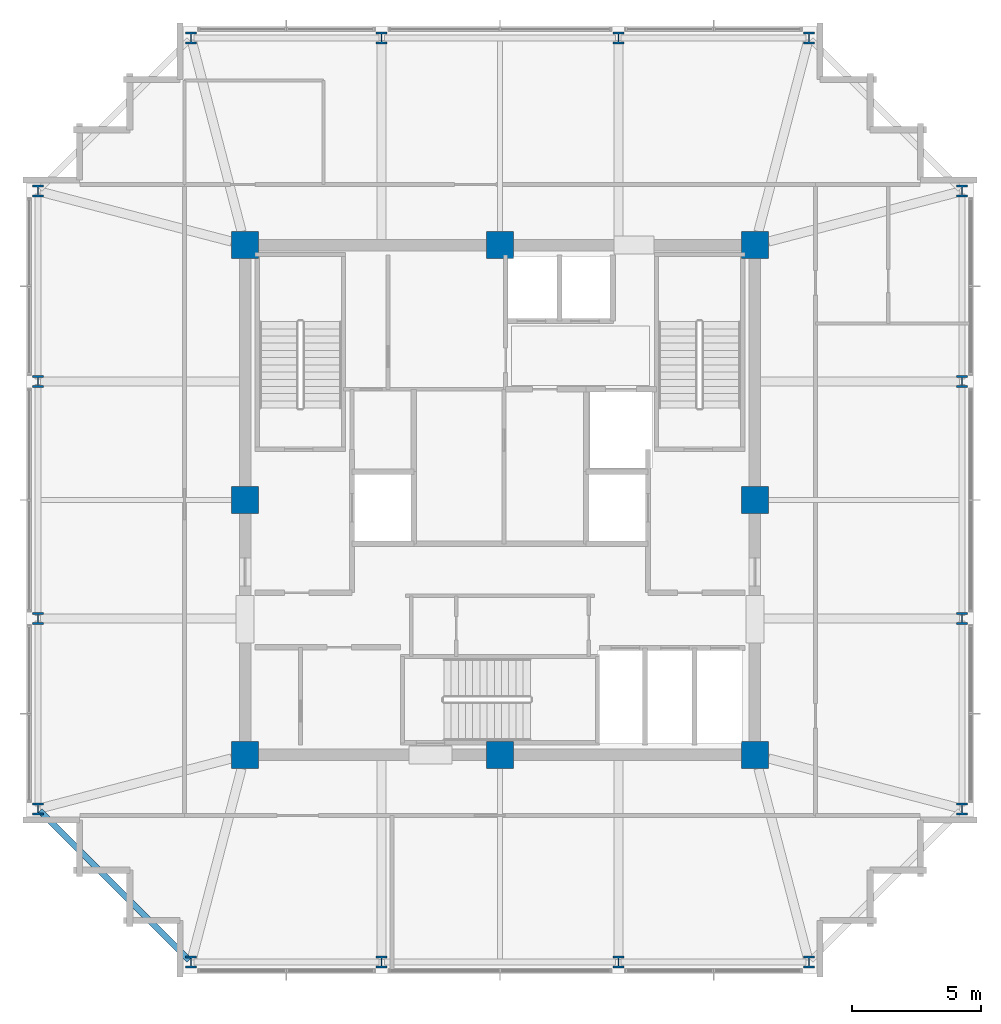
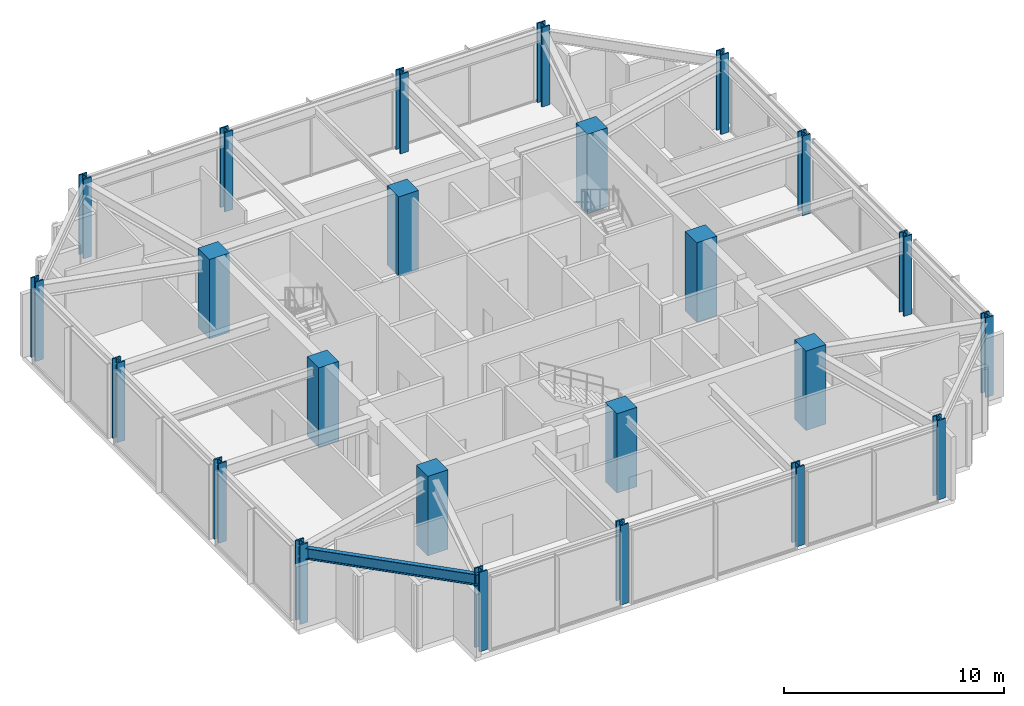
# One storey, part 1 of 26: 24 columns, 1 beam.
"""IFC4 building model written with IfcOpenShell, lengths in metres."""

from ifc_helpers import new_model, si_unit, direction, frame, origin, origin_2d, place, context, subcontext, project, spatial, rectangle, i_section, extrude, material, material_profile, profile_set, type_object, element, save


model = new_model("IFC4")

# Units and contexts
model_context = context("Model", 3, precision=1e-05, world=origin(), true_north=direction((0.0, 1.0)))
body_context = subcontext(model_context, "Body", "Model", "MODEL_VIEW")
ifc_project = project(units=[si_unit("LENGTHUNIT", "METRE"), si_unit("AREAUNIT", "SQUARE_METRE"), si_unit("VOLUMEUNIT", "CUBIC_METRE"), si_unit("PLANEANGLEUNIT", "RADIAN"), si_unit("MASSUNIT", "GRAM", prefix="KILO")], contexts=[model_context])

# Site, building, storey
site_placement = place(None, origin())
site = spatial("IfcSite", under=ifc_project, at=site_placement, CompositionType="ELEMENT")
building_placement = place(site_placement, origin())
building = spatial("IfcBuilding", under=site, at=building_placement, Name="Kolvaren Belvedere", CompositionType="ELEMENT")
storey_placement = place(building_placement, frame((0.0, 0.0, 258.39990234375)))
storey = spatial("IfcBuildingStorey", under=building, at=storey_placement, Name="L75", CompositionType="ELEMENT", Elevation=258.39990234375)

# Columns
ifc_material_1 = material(Name="Concrete C50/60", Category="concrete")
ifc_material_profile_1 = material_profile(ifc_material_1, rectangle(XDim=1.050048828125, YDim=1.050048828125, at=origin_2d()), Name="RC 1050X1050")
ifc_profile_set_1 = profile_set([ifc_material_profile_1], Name="Concrete C50/60")
column_type_1 = type_object("IfcColumnType", Name="COL-RC-1050", PredefinedType="COLUMN", material=ifc_profile_set_1)
for number, where, z_axis, x_axis, name in (
    (1, (-9.89990234375, -9.89990234375, 0.0), (0.0, 0.0, 1.0), (1.0, 0.0, 0.0), "L75 Core Column CC1"),
    (2, (9.89990234375, -9.89990234375, 0.0), (0.0, 0.0, 1.0), (1.0, 0.0, 0.0), "L75 Core Column CC2"),
    (3, (9.89990234375, 9.89990234375, 0.0), (0.0, 0.0, 1.0), (1.0, 0.0, 0.0), "L75 Core Column CC3"),
    (4, (-9.89990234375, 9.89990234375, 0.0), (0.0, 0.0, 1.0), (1.0, 0.0, 0.0), "L75 Core Column CC4"),
    (5, (0.0, -9.89990234375, 0.0), (0.0, 0.0, 1.0), (1.0, 0.0, 0.0), "L75 Core Column CM1"),
    (6, (9.89990234375, 0.0, 0.0), (0.0, 0.0, 1.0), (1.0, 0.0, 0.0), "L75 Core Column CM2"),
    (7, (0.0, 9.89990234375, 0.0), (0.0, 0.0, 1.0), (1.0, 0.0, 0.0), "L75 Core Column CM3"),
    (8, (-9.89990234375, 0.0, 0.0), (0.0, 0.0, 1.0), (1.0, 0.0, 0.0), "L75 Core Column CM4"),
):
    element("IfcColumn", number, at=place(storey_placement, frame(where, z_axis=z_axis, x_axis=x_axis)), inside=storey, type_object=column_type_1, Name=name, PredefinedType="COLUMN", context=body_context, shape_type="SweptSolid", body=[
        extrude(rectangle(XDim=1.050048828125, YDim=1.050048828125, at=origin_2d()), origin(), (0.0, 0.0, 1.0), 4.400146484375),
    ])
ifc_material_2 = material(Name="Structural steel ASTM A992 Grade 50", Category="steel")
ifc_material_profile_2 = material_profile(ifc_material_2, i_section(OverallWidth=0.422119140625, OverallDepth=0.465087890625, WebThickness=0.044921875, FlangeThickness=0.072509765625, FilletRadius=0.02490234375, at=origin_2d()), Name="W14X398")
ifc_profile_set_2 = profile_set([ifc_material_profile_2], Name="Structural steel ASTM A992 Grade 50")
column_type_2 = type_object("IfcColumnType", Name="COL-ST-W14X398", PredefinedType="COLUMN", material=ifc_profile_set_2)
for number, where, z_axis, x_axis, name in (
    (9, (-12.0, -17.949951171875, 0.0), (0.0, 0.0, 1.0), (1.0, 0.0, 0.0), "L75 Perimeter Column S1"),
    (10, (-4.60009765625, -17.949951171875, 0.0), (0.0, 0.0, 1.0), (1.0, 0.0, 0.0), "L75 Perimeter Column S2"),
    (11, (4.60009765625, -17.949951171875, 0.0), (0.0, 0.0, 1.0), (1.0, 0.0, 0.0), "L75 Perimeter Column S3"),
    (12, (12.0, -17.949951171875, 0.0), (0.0, 0.0, 1.0), (1.0, 0.0, 0.0), "L75 Perimeter Column S4"),
    (13, (-12.0, 17.949951171875, 0.0), (0.0, 0.0, 1.0), (1.0, 0.0, 0.0), "L75 Perimeter Column N1"),
    (14, (-4.60009765625, 17.949951171875, 0.0), (0.0, 0.0, 1.0), (1.0, 0.0, 0.0), "L75 Perimeter Column N2"),
    (15, (4.60009765625, 17.949951171875, 0.0), (0.0, 0.0, 1.0), (1.0, 0.0, 0.0), "L75 Perimeter Column N3"),
    (16, (12.0, 17.949951171875, 0.0), (0.0, 0.0, 1.0), (1.0, 0.0, 0.0), "L75 Perimeter Column N4"),
    (17, (-17.949951171875, -12.0, 0.0), (0.0, 0.0, 1.0), (1.0, 0.0, 0.0), "L75 Perimeter Column W1"),
    (18, (-17.949951171875, -4.60009765625, 0.0), (0.0, 0.0, 1.0), (1.0, 0.0, 0.0), "L75 Perimeter Column W2"),
    (19, (-17.949951171875, 4.60009765625, 0.0), (0.0, 0.0, 1.0), (1.0, 0.0, 0.0), "L75 Perimeter Column W3"),
    (20, (-17.949951171875, 12.0, 0.0), (0.0, 0.0, 1.0), (1.0, 0.0, 0.0), "L75 Perimeter Column W4"),
    (21, (17.949951171875, -12.0, 0.0), (0.0, 0.0, 1.0), (1.0, 0.0, 0.0), "L75 Perimeter Column E1"),
    (22, (17.949951171875, -4.60009765625, 0.0), (0.0, 0.0, 1.0), (1.0, 0.0, 0.0), "L75 Perimeter Column E2"),
    (23, (17.949951171875, 4.60009765625, 0.0), (0.0, 0.0, 1.0), (1.0, 0.0, 0.0), "L75 Perimeter Column E3"),
    (24, (17.949951171875, 12.0, 0.0), (0.0, 0.0, 1.0), (1.0, 0.0, 0.0), "L75 Perimeter Column E4"),
):
    element("IfcColumn", number, at=place(storey_placement, frame(where, z_axis=z_axis, x_axis=x_axis)), inside=storey, type_object=column_type_2, Name=name, PredefinedType="COLUMN", context=body_context, shape_type="SweptSolid", body=[
        extrude(i_section(OverallWidth=0.422119140625, OverallDepth=0.465087890625, WebThickness=0.044921875, FlangeThickness=0.072509765625, FilletRadius=0.02490234375, at=origin_2d()), origin(), (0.0, 0.0, 1.0), 4.400146484375),
    ])

# Beam
ifc_material_3 = material(Name="Structural steel ASTM A992 Grade 50", Category="steel")
ifc_material_profile_3 = material_profile(ifc_material_3, i_section(OverallWidth=0.22900390625, OverallDepth=0.612060546875, WebThickness=0.011962890625, FlangeThickness=0.01953125, FilletRadius=0.01806640625, at=origin_2d()), Name="W24X84")
ifc_profile_set_3 = profile_set([ifc_material_profile_3], Name="Structural steel ASTM A992 Grade 50")
beam_type = type_object("IfcBeamType", Name="BM-SPAN-W24X84", PredefinedType="SPANDREL", material=ifc_profile_set_3)
beam_placement = place(storey_placement, frame((-17.8759765625, -12.073974609375, 3.814208984375), z_axis=(0.707106781187, -0.707106781187, 0.0), x_axis=(0.707106781187, 0.707106781187, 0.0)))
element("IfcBeam", 25, at=beam_placement, inside=storey, type_object=beam_type, Name="L75 Perimeter Spandrel W1-S1", PredefinedType="SPANDREL", context=body_context, shape_type="SweptSolid", body=[
    extrude(i_section(OverallWidth=0.22900390625, OverallDepth=0.612060546875, WebThickness=0.011962890625, FlangeThickness=0.01953125, FilletRadius=0.01806640625, at=origin_2d()), origin(), (0.0, 0.0, 1.0), 8.205322265625),
])

save(model, "model.ifc")
